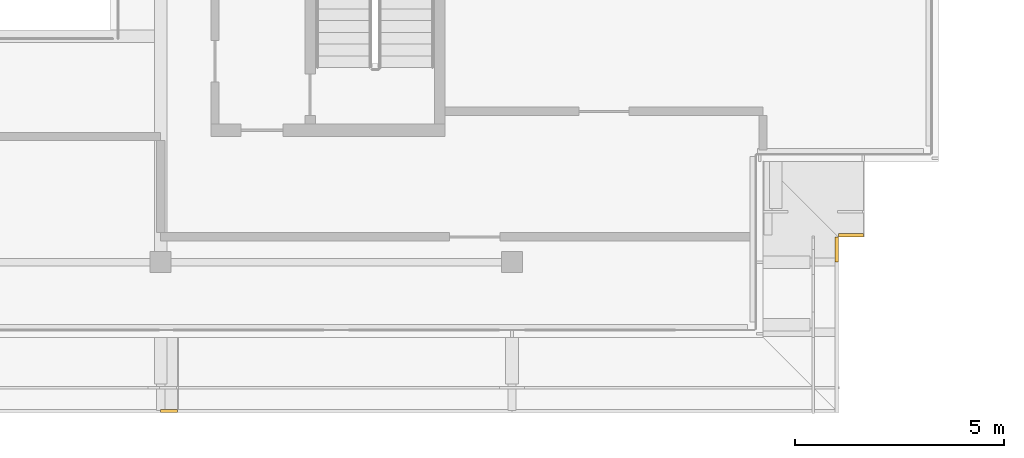
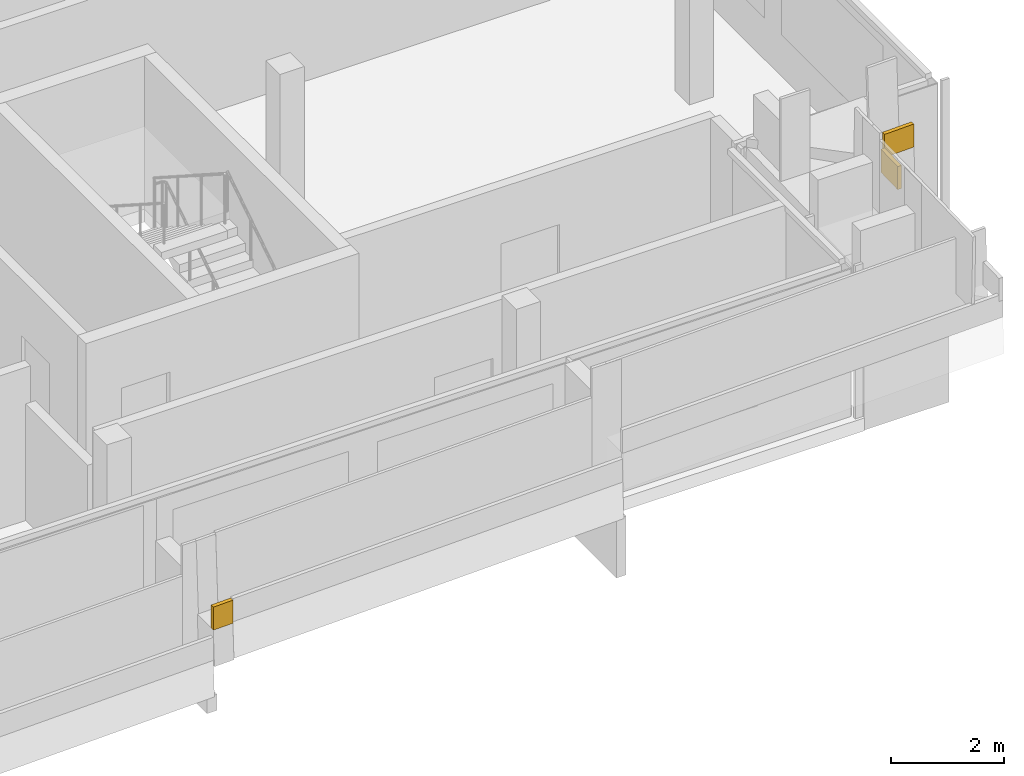
# One storey, part 20 of 21: 3 coverings.
"""IFC4 building model written with IfcOpenShell, lengths in metres."""

import ifcopenshell
import ifcopenshell.guid

model = None  # the IFC model being written
_history = None  # IfcOwnerHistory: only IFC2X3 demands one
_inside = {}  # id of a spatial element -> (the spatial element, [elements in it])
_under = {}  # id of a project, library or spatial element -> (it, [spatial elements below it])
_declared = {}  # id of a project -> (the project, [libraries it declares])
_typed = {}  # id of a type object -> (the type object, [elements of that type])
_made_of = {}  # id of a material, layer set ... -> (it, [elements and type objects made of it])


def new_model(schema):
    """Start an empty IFC model of exactly this schema.

    Asked for "IFC4X3", IfcOpenShell would pick the latest addendum, in which some entities
    have other attributes; the version numbers below select the first issue.
    IFC2X3 requires an IfcOwnerHistory on every rooted entity: one is made here for all.
    """
    global model, _history
    if schema == "IFC4X3":
        model = ifcopenshell.file(schema_version=(4, 3, 0, 0))
    else:
        model = ifcopenshell.file(schema=schema)
    _inside.clear()
    _under.clear()
    _declared.clear()
    _typed.clear()
    _made_of.clear()
    _history = None
    if model.schema == "IFC2X3":
        org = make("IfcOrganization", Name="unknown")
        user = make(
            "IfcPersonAndOrganization",
            ThePerson=make("IfcPerson", FamilyName="unknown"),
            TheOrganization=org,
        )
        app = make(
            "IfcApplication",
            ApplicationDeveloper=org,
            Version="unknown",
            ApplicationFullName="unknown",
            ApplicationIdentifier="unknown",
        )
        _history = make(
            "IfcOwnerHistory",
            OwningUser=user,
            OwningApplication=app,
            ChangeAction="ADDED",
            CreationDate=0,
        )
    return model


def make(cls, **values):
    """One entity of the class cls with the attributes given. An attribute that is None is left unset."""
    return model.create_entity(
        cls, **{name: value for name, value in values.items() if value is not None}
    )


def rooted(cls, **values):
    """An entity with a GlobalId (a new one), such as an element, a storey or a relation."""
    return make(cls, GlobalId=ifcopenshell.guid.new(), OwnerHistory=_history, **values)


def si_unit(unit_type, name, prefix=None):
    """IfcSIUnit, for example si_unit("LENGTHUNIT", "METRE", prefix="MILLI")."""
    return make("IfcSIUnit", UnitType=unit_type, Prefix=prefix, Name=name)


def assignment(units):
    """IfcUnitAssignment: the units of a project."""
    return None if units is None else make("IfcUnitAssignment", Units=units)


def point(xyz):
    """IfcCartesianPoint."""
    return None if xyz is None else make("IfcCartesianPoint", Coordinates=xyz)


def direction(xyz):
    """IfcDirection."""
    return None if xyz is None else make("IfcDirection", DirectionRatios=xyz)


def frame(location, z_axis=None, x_axis=None):
    """IfcAxis2Placement3D, a coordinate frame: its origin and axes. An axis left out is left unset."""
    return make(
        "IfcAxis2Placement3D",
        Location=point(location),
        Axis=direction(z_axis),
        RefDirection=direction(x_axis),
    )


def origin():
    """The frame at (0, 0, 0) with its axes left unset."""
    return frame((0.0, 0.0, 0.0))


def place(relative_to, where):
    """IfcLocalPlacement: puts the frame where relative to a parent placement (None: the world)."""
    return make(
        "IfcLocalPlacement", PlacementRelTo=relative_to, RelativePlacement=where
    )


def context(
    kind, dimensions, precision=None, world=None, true_north=None, identifier=None
):
    """IfcGeometricRepresentationContext, for example the 3D "Model" context."""
    return make(
        "IfcGeometricRepresentationContext",
        ContextIdentifier=identifier,
        ContextType=kind,
        CoordinateSpaceDimension=dimensions,
        Precision=precision,
        WorldCoordinateSystem=world,
        TrueNorth=true_north,
    )


def subcontext(parent, identifier, kind, view, scale=None):
    """IfcGeometricRepresentationSubContext, for example "Body" below "Model"."""
    return make(
        "IfcGeometricRepresentationSubContext",
        ContextIdentifier=identifier,
        ContextType=kind,
        ParentContext=parent,
        TargetScale=scale,
        TargetView=view,
    )


def project(units=None, contexts=None):
    """IfcProject with its units and contexts."""
    return rooted(
        "IfcProject",
        Name="project",
        RepresentationContexts=contexts,
        UnitsInContext=assignment(units),
    )


def spatial(cls, under=None, at=None, **own):
    """A site, building, storey or space (cls), placed at a placement, below another one or the project."""
    s = rooted(cls, ObjectPlacement=at, **own)
    if under is not None:
        _under.setdefault(under.id(), (under, []))[1].append(s)
    return s


def polyline(points):
    """IfcPolyline through the points."""
    return make("IfcPolyline", Points=[point(p) for p in points])


def outline(outer, holes=None, kind="AREA"):
    """IfcArbitraryClosedProfileDef: a profile drawn as a closed curve; with holes, ...WithVoids."""
    if holes is None:
        return make("IfcArbitraryClosedProfileDef", ProfileType=kind, OuterCurve=outer)
    return make(
        "IfcArbitraryProfileDefWithVoids",
        ProfileType=kind,
        OuterCurve=outer,
        InnerCurves=holes,
    )


def extrude(swept, where, along, depth):
    """IfcExtrudedAreaSolid: the profile swept, set in the frame where, extruded along a direction by depth."""
    return make(
        "IfcExtrudedAreaSolid",
        SweptArea=swept,
        Position=where,
        ExtrudedDirection=direction(along),
        Depth=depth,
    )


def shape(context_of_items, identifier, shape_type, items):
    """IfcShapeRepresentation: the items that make up one representation, for example the "Body"."""
    return make(
        "IfcShapeRepresentation",
        ContextOfItems=context_of_items,
        RepresentationIdentifier=identifier,
        RepresentationType=shape_type,
        Items=items,
    )


def material(Name=None, Category=None):
    """IfcMaterial."""
    return make("IfcMaterial", Name=Name, Category=Category)


def layer(
    of_material, thickness, ventilated=None, Name=None, Category=None, Priority=None
):
    """IfcMaterialLayer: one layer of a wall or slab, of a material (None: an air gap)."""
    return make(
        "IfcMaterialLayer",
        Material=of_material,
        LayerThickness=thickness,
        IsVentilated=ventilated,
        Name=Name,
        Category=Category,
        Priority=Priority,
    )


def layer_set(layers, Name=None):
    """IfcMaterialLayerSet."""
    return make("IfcMaterialLayerSet", MaterialLayers=layers, LayerSetName=Name)


def made_of(thing, what):
    """Note that an element or type object is made of a material, layer set ...; save() writes the relation."""
    if what is not None:
        _made_of.setdefault(what.id(), (what, []))[1].append(thing)
    return thing


def type_object(cls, material=None, **own):
    """A type object (cls), such as IfcWallType, which elements share."""
    return made_of(rooted(cls, **own), material)


def element(
    cls,
    number,
    at=None,
    inside=None,
    cuts=None,
    type_object=None,
    material=None,
    context=None,
    identifier="Body",
    shape_type=None,
    held_by="IfcProductDefinitionShape",
    body=None,
    shapes=None,
    **own,
):
    """One element of the class cls, such as IfcWall. Its Tag is "e" and its number.

    at: its placement. inside: the storey or other place that contains it. cuts: it is an
    opening in that element (IfcRelVoidsElement). A single representation is given by context,
    identifier, shape_type and body (its items); several are given by shapes. held_by: the class
    of the entity that holds the representations. save() writes the other relations.
    """
    e = rooted(cls, Tag="e%d" % number, ObjectPlacement=at, **own)
    if body is not None:
        shapes = [shape(context, identifier, shape_type, body)]
    if shapes is not None:
        e.Representation = make(held_by, Representations=shapes)
    if inside is not None:
        _inside.setdefault(inside.id(), (inside, []))[1].append(e)
    if cuts is not None:
        rooted(
            "IfcRelVoidsElement", RelatingBuildingElement=cuts, RelatedOpeningElement=e
        )
    if type_object is not None:
        _typed.setdefault(type_object.id(), (type_object, []))[1].append(e)
    return made_of(e, material)


def aggregate(whole, parts):
    """IfcRelAggregates: a whole, such as a stair, and the parts it consists of."""
    return rooted("IfcRelAggregates", RelatingObject=whole, RelatedObjects=parts)


def save(model, path):
    """Write the relations noted so far, then the file.

    IfcRelAggregates (storeys below a building ...), IfcRelContainedInSpatialStructure (elements
    in a storey), IfcRelDefinesByType, IfcRelAssociatesMaterial and IfcRelDeclares: one each for
    every whole, place, type object, material and project.
    """
    for whole, parts in _under.values():
        aggregate(whole, parts)
    for where, things in _inside.values():
        rooted(
            "IfcRelContainedInSpatialStructure",
            RelatedElements=things,
            RelatingStructure=where,
        )
    for kind, things in _typed.values():
        rooted("IfcRelDefinesByType", RelatedObjects=things, RelatingType=kind)
    for what, things in _made_of.values():
        rooted("IfcRelAssociatesMaterial", RelatedObjects=things, RelatingMaterial=what)
    for by, libraries in _declared.values():
        rooted("IfcRelDeclares", RelatingContext=by, RelatedDefinitions=libraries)
    model.write(path)


model = new_model("IFC4")

# Units and contexts
model_context = context("Model", 3, precision=1e-05, world=origin(), true_north=direction((0.0, 1.0)))
body_context = subcontext(model_context, "Body", "Model", "MODEL_VIEW")
ifc_project = project(units=[si_unit("LENGTHUNIT", "METRE"), si_unit("AREAUNIT", "SQUARE_METRE"), si_unit("VOLUMEUNIT", "CUBIC_METRE"), si_unit("PLANEANGLEUNIT", "RADIAN"), si_unit("MASSUNIT", "GRAM", prefix="KILO")], contexts=[model_context])

# Site, building, storey
site_placement = place(None, origin())
site = spatial("IfcSite", under=ifc_project, at=site_placement, CompositionType="ELEMENT")
building_placement = place(site_placement, origin())
building = spatial("IfcBuilding", under=site, at=building_placement, Name="Saffron Gate Tower", CompositionType="ELEMENT")
storey_placement = place(building_placement, frame((0.0, 0.0, 288.75)))
storey = spatial("IfcBuildingStorey", under=building, at=storey_placement, Name="L70", CompositionType="ELEMENT", Elevation=288.75)

# Coverings
ifc_material = material(Name="Timber, thermally modified ash", Category="wood")
ifc_layer = layer(ifc_material, 0.080078125)
ifc_layer_set = layer_set([ifc_layer], Name="LD2 ledge planter trough")
covering_type = type_object("IfcCoveringType", Name="LD2 ledge planter trough", PredefinedType="CLADDING", material=ifc_layer_set)
covering_1_placement = place(storey_placement, frame((100.199951171875, 36.60009765625, 1.52587890625), z_axis=(0.0, -1.0, 0.0), x_axis=(0.999571436364, 0.0, 0.029273599113)))
element("IfcCovering", 1, at=covering_1_placement, inside=storey, type_object=covering_type, Name="LEDGE planter trough", PredefinedType="CLADDING", context=body_context, shape_type="SweptSolid", body=[
    extrude(outline(polyline([(0.0, 0.0), (0.40031804613236543, 0.0), (0.4149548456886427, 0.4997857181820519), (0.014636799556277297, 0.49978571818205186), (0.0, 0.0)])), origin(), (0.0, 0.0, -1.0), 0.080078125),
])
covering_2_placement = place(storey_placement, frame((116.39990234375, 40.199951171875, 3.2548828125), z_axis=(1.0, 0.0, 0.0), x_axis=(0.0, 0.999594735783, 0.028466896463)))
element("IfcCovering", 2, at=covering_2_placement, inside=storey, type_object=covering_type, Name="LEDGE planter trough", PredefinedType="CLADDING", context=body_context, shape_type="SweptSolid", body=[
    extrude(outline(polyline([(0.0, 0.0), (0.6003409529560203, 0.0), (0.6145744011872722, 0.499797367891677), (0.014233448231251987, 0.49979736789167695), (0.0, 0.0)])), origin(), (0.0, 0.0, -1.0), 0.080078125),
])
covering_3_placement = place(storey_placement, frame((116.39990234375, 40.800048828125, 3.562744140625), z_axis=(0.0, -1.0, 0.0), x_axis=(0.999583081391, 0.0, 0.028873229772)))
element("IfcCovering", 3, at=covering_3_placement, inside=storey, type_object=covering_type, Name="LEDGE planter trough", PredefinedType="CLADDING", context=body_context, shape_type="SweptSolid", body=[
    extrude(outline(polyline([(0.0, 0.0), (0.6003479524834376, -3.469446951953614e-18), (0.6147845673692678, 0.4997915406953566), (0.014436614885830073, 0.4997915406953566), (0.0, 0.0)])), origin(), (0.0, 0.0, -1.0), 0.080078125),
])

save(model, "model.ifc")
